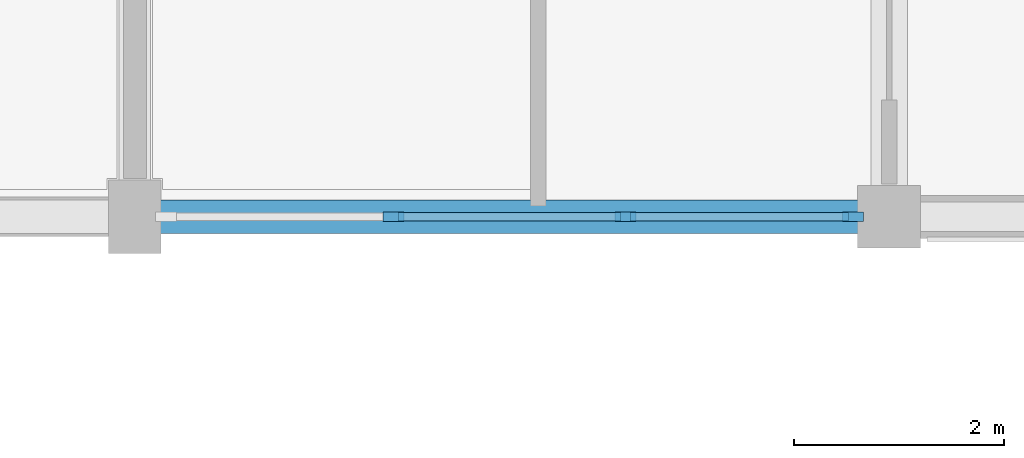
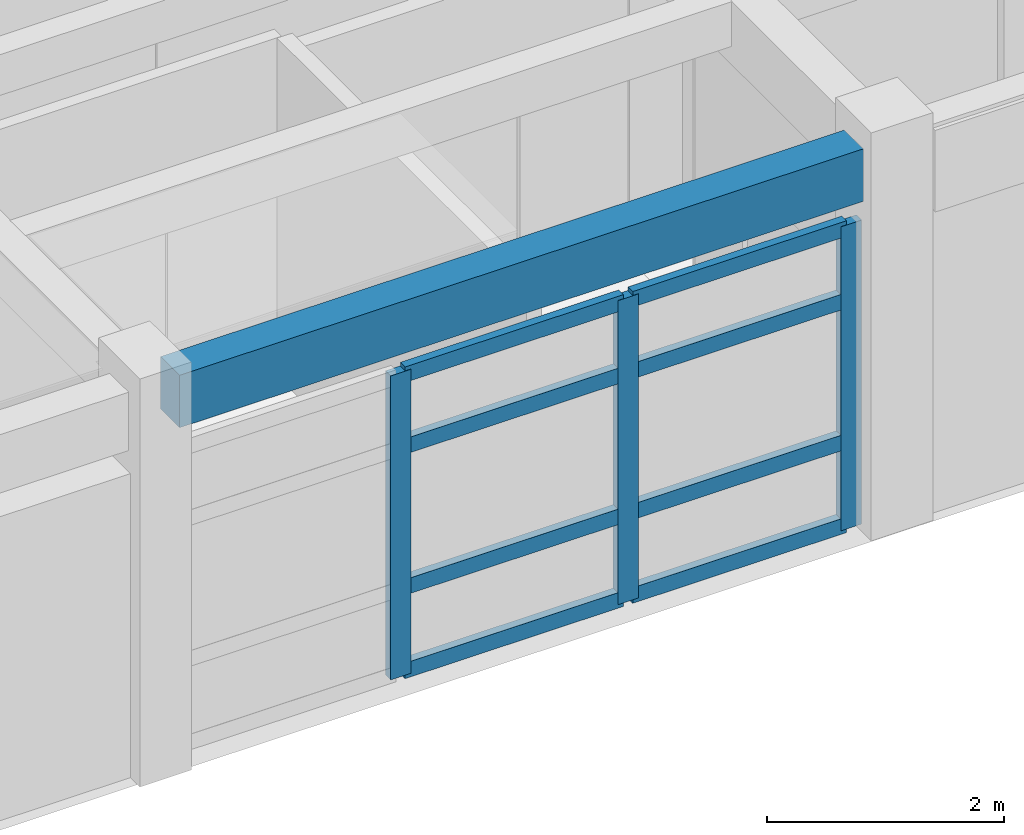
# One storey, part 14 of 100: 11 members, 1 beam, 1 element without a shape of its own.
"""IFC4 building model written with IfcOpenShell, lengths in metres."""

import ifcopenshell
import ifcopenshell.guid

model = None  # the IFC model being written
_history = None  # IfcOwnerHistory: only IFC2X3 demands one
_inside = {}  # id of a spatial element -> (the spatial element, [elements in it])
_under = {}  # id of a project, library or spatial element -> (it, [spatial elements below it])
_declared = {}  # id of a project -> (the project, [libraries it declares])
_typed = {}  # id of a type object -> (the type object, [elements of that type])
_made_of = {}  # id of a material, layer set ... -> (it, [elements and type objects made of it])


def new_model(schema):
    """Start an empty IFC model of exactly this schema.

    Asked for "IFC4X3", IfcOpenShell would pick the latest addendum, in which some entities
    have other attributes; the version numbers below select the first issue.
    IFC2X3 requires an IfcOwnerHistory on every rooted entity: one is made here for all.
    """
    global model, _history
    if schema == "IFC4X3":
        model = ifcopenshell.file(schema_version=(4, 3, 0, 0))
    else:
        model = ifcopenshell.file(schema=schema)
    _inside.clear()
    _under.clear()
    _declared.clear()
    _typed.clear()
    _made_of.clear()
    _history = None
    if model.schema == "IFC2X3":
        org = make("IfcOrganization", Name="unknown")
        user = make(
            "IfcPersonAndOrganization",
            ThePerson=make("IfcPerson", FamilyName="unknown"),
            TheOrganization=org,
        )
        app = make(
            "IfcApplication",
            ApplicationDeveloper=org,
            Version="unknown",
            ApplicationFullName="unknown",
            ApplicationIdentifier="unknown",
        )
        _history = make(
            "IfcOwnerHistory",
            OwningUser=user,
            OwningApplication=app,
            ChangeAction="ADDED",
            CreationDate=0,
        )
    return model


def make(cls, **values):
    """One entity of the class cls with the attributes given. An attribute that is None is left unset."""
    return model.create_entity(
        cls, **{name: value for name, value in values.items() if value is not None}
    )


def rooted(cls, **values):
    """An entity with a GlobalId (a new one), such as an element, a storey or a relation."""
    return make(cls, GlobalId=ifcopenshell.guid.new(), OwnerHistory=_history, **values)


def si_unit(unit_type, name, prefix=None):
    """IfcSIUnit, for example si_unit("LENGTHUNIT", "METRE", prefix="MILLI")."""
    return make("IfcSIUnit", UnitType=unit_type, Prefix=prefix, Name=name)


def assignment(units):
    """IfcUnitAssignment: the units of a project."""
    return None if units is None else make("IfcUnitAssignment", Units=units)


def point(xyz):
    """IfcCartesianPoint."""
    return None if xyz is None else make("IfcCartesianPoint", Coordinates=xyz)


def direction(xyz):
    """IfcDirection."""
    return None if xyz is None else make("IfcDirection", DirectionRatios=xyz)


def frame(location, z_axis=None, x_axis=None):
    """IfcAxis2Placement3D, a coordinate frame: its origin and axes. An axis left out is left unset."""
    return make(
        "IfcAxis2Placement3D",
        Location=point(location),
        Axis=direction(z_axis),
        RefDirection=direction(x_axis),
    )


def frame_2d(location, x_axis=None):
    """IfcAxis2Placement2D, a coordinate frame in the plane: its origin and x axis."""
    return make(
        "IfcAxis2Placement2D", Location=point(location), RefDirection=direction(x_axis)
    )


def origin():
    """The frame at (0, 0, 0) with its axes left unset."""
    return frame((0.0, 0.0, 0.0))


def origin_2d():
    """The frame at (0, 0) in the plane with its x axis left unset."""
    return frame_2d((0.0, 0.0))


def place(relative_to, where):
    """IfcLocalPlacement: puts the frame where relative to a parent placement (None: the world)."""
    return make(
        "IfcLocalPlacement", PlacementRelTo=relative_to, RelativePlacement=where
    )


def context(
    kind, dimensions, precision=None, world=None, true_north=None, identifier=None
):
    """IfcGeometricRepresentationContext, for example the 3D "Model" context."""
    return make(
        "IfcGeometricRepresentationContext",
        ContextIdentifier=identifier,
        ContextType=kind,
        CoordinateSpaceDimension=dimensions,
        Precision=precision,
        WorldCoordinateSystem=world,
        TrueNorth=true_north,
    )


def subcontext(parent, identifier, kind, view, scale=None):
    """IfcGeometricRepresentationSubContext, for example "Body" below "Model"."""
    return make(
        "IfcGeometricRepresentationSubContext",
        ContextIdentifier=identifier,
        ContextType=kind,
        ParentContext=parent,
        TargetScale=scale,
        TargetView=view,
    )


def project(units=None, contexts=None):
    """IfcProject with its units and contexts."""
    return rooted(
        "IfcProject",
        Name="project",
        RepresentationContexts=contexts,
        UnitsInContext=assignment(units),
    )


def spatial(cls, under=None, at=None, **own):
    """A site, building, storey or space (cls), placed at a placement, below another one or the project."""
    s = rooted(cls, ObjectPlacement=at, **own)
    if under is not None:
        _under.setdefault(under.id(), (under, []))[1].append(s)
    return s


def profile(cls, at=None, kind="AREA", **sizes):
    """A parametric profile (cls). Its sizes go by their IFC names, for example OverallWidth=200.0."""
    return make(cls, ProfileType=kind, Position=at, **sizes)


def rectangle(**sizes):
    """IfcRectangleProfileDef."""
    return profile("IfcRectangleProfileDef", **sizes)


def extrude(swept, where, along, depth):
    """IfcExtrudedAreaSolid: the profile swept, set in the frame where, extruded along a direction by depth."""
    return make(
        "IfcExtrudedAreaSolid",
        SweptArea=swept,
        Position=where,
        ExtrudedDirection=direction(along),
        Depth=depth,
    )


def shape(context_of_items, identifier, shape_type, items):
    """IfcShapeRepresentation: the items that make up one representation, for example the "Body"."""
    return make(
        "IfcShapeRepresentation",
        ContextOfItems=context_of_items,
        RepresentationIdentifier=identifier,
        RepresentationType=shape_type,
        Items=items,
    )


def material(Name=None, Category=None):
    """IfcMaterial."""
    return make("IfcMaterial", Name=Name, Category=Category)


def material_profile(
    of_material, cross_section, Name=None, Category=None, Priority=None
):
    """IfcMaterialProfile: a cross section and its material."""
    return make(
        "IfcMaterialProfile",
        Name=Name,
        Material=of_material,
        Profile=cross_section,
        Priority=Priority,
        Category=Category,
    )


def profile_set(profiles, Name=None, composite=None):
    """IfcMaterialProfileSet."""
    return make(
        "IfcMaterialProfileSet",
        Name=Name,
        MaterialProfiles=profiles,
        CompositeProfile=composite,
    )


def made_of(thing, what):
    """Note that an element or type object is made of a material, layer set ...; save() writes the relation."""
    if what is not None:
        _made_of.setdefault(what.id(), (what, []))[1].append(thing)
    return thing


def type_object(cls, material=None, **own):
    """A type object (cls), such as IfcWallType, which elements share."""
    return made_of(rooted(cls, **own), material)


def element(
    cls,
    number,
    at=None,
    inside=None,
    cuts=None,
    type_object=None,
    material=None,
    context=None,
    identifier="Body",
    shape_type=None,
    held_by="IfcProductDefinitionShape",
    body=None,
    shapes=None,
    **own,
):
    """One element of the class cls, such as IfcWall. Its Tag is "e" and its number.

    at: its placement. inside: the storey or other place that contains it. cuts: it is an
    opening in that element (IfcRelVoidsElement). A single representation is given by context,
    identifier, shape_type and body (its items); several are given by shapes. held_by: the class
    of the entity that holds the representations. save() writes the other relations.
    """
    e = rooted(cls, Tag="e%d" % number, ObjectPlacement=at, **own)
    if body is not None:
        shapes = [shape(context, identifier, shape_type, body)]
    if shapes is not None:
        e.Representation = make(held_by, Representations=shapes)
    if inside is not None:
        _inside.setdefault(inside.id(), (inside, []))[1].append(e)
    if cuts is not None:
        rooted(
            "IfcRelVoidsElement", RelatingBuildingElement=cuts, RelatedOpeningElement=e
        )
    if type_object is not None:
        _typed.setdefault(type_object.id(), (type_object, []))[1].append(e)
    return made_of(e, material)


def aggregate(whole, parts):
    """IfcRelAggregates: a whole, such as a stair, and the parts it consists of."""
    return rooted("IfcRelAggregates", RelatingObject=whole, RelatedObjects=parts)


def save(model, path):
    """Write the relations noted so far, then the file.

    IfcRelAggregates (storeys below a building ...), IfcRelContainedInSpatialStructure (elements
    in a storey), IfcRelDefinesByType, IfcRelAssociatesMaterial and IfcRelDeclares: one each for
    every whole, place, type object, material and project.
    """
    for whole, parts in _under.values():
        aggregate(whole, parts)
    for where, things in _inside.values():
        rooted(
            "IfcRelContainedInSpatialStructure",
            RelatedElements=things,
            RelatingStructure=where,
        )
    for kind, things in _typed.values():
        rooted("IfcRelDefinesByType", RelatedObjects=things, RelatingType=kind)
    for what, things in _made_of.values():
        rooted("IfcRelAssociatesMaterial", RelatedObjects=things, RelatingMaterial=what)
    for by, libraries in _declared.values():
        rooted("IfcRelDeclares", RelatingContext=by, RelatedDefinitions=libraries)
    model.write(path)


model = new_model("IFC4")

# Units and contexts
model_context = context("Model", 3, precision=1e-05, world=origin(), true_north=direction((0.0, 1.0)))
body_context = subcontext(model_context, "Body", "Model", "MODEL_VIEW")
ifc_project = project(units=[si_unit("LENGTHUNIT", "METRE"), si_unit("AREAUNIT", "SQUARE_METRE"), si_unit("VOLUMEUNIT", "CUBIC_METRE"), si_unit("PLANEANGLEUNIT", "RADIAN"), si_unit("MASSUNIT", "GRAM", prefix="KILO")], contexts=[model_context])

# Site, building, storey
site_placement = place(None, origin())
site = spatial("IfcSite", under=ifc_project, at=site_placement, CompositionType="ELEMENT")
building_placement = place(site_placement, origin())
building = spatial("IfcBuilding", under=site, at=building_placement, Name="Steenspoor Specialist Clinic", CompositionType="ELEMENT")
storey_placement = place(building_placement, frame((0.0, 0.0, 9.0)))
storey = spatial("IfcBuildingStorey", under=building, at=storey_placement, Name="L02", CompositionType="ELEMENT", Elevation=9.0)

# Curtain wall, members
ifc_material_1 = material(Name="Thermally broken aluminium and low-emissivity glass", Category="aluminium")
curtain_wall_type = type_object("IfcCurtainWallType", Name="CW-SCR-660X320", PredefinedType="USERDEFINED", material=ifc_material_1)
curtain_wall_placement = place(storey_placement, origin())
curtain_wall = element("IfcCurtainWall", 1, at=curtain_wall_placement, inside=storey, type_object=curtain_wall_type, Name="Unitised Curtain Wall CW-V6-L02-185", ObjectType="UNITISED GLAZING", PredefinedType="USERDEFINED")
ifc_material_2 = material(Name="Thermally broken aluminium 6063-T6", Category="aluminium")
ifc_material_profile_1 = material_profile(ifc_material_2, rectangle(XDim=0.090087890625, YDim=0.199951171875, at=origin_2d()), Name="CWM-90X200")
ifc_profile_set_1 = profile_set([ifc_material_profile_1], Name="Thermally broken aluminium 6063-T6")
member_type_1 = type_object("IfcMemberType", Name="CW-MULL-90X200", PredefinedType="MULLION", material=ifc_profile_set_1)
member_1_placement = place(storey_placement, frame((139.2548828125, 65.14990234375, 0.0), z_axis=(0.0, 0.0, 1.0), x_axis=(0.0, -1.0, 0.0)))
member_1 = element("IfcMember", 2, at=member_1_placement, type_object=member_type_1, Name="CW-17 mullion 1", PredefinedType="MULLION", context=body_context, shape_type="SweptSolid", body=[
    extrude(rectangle(XDim=0.090087890625, YDim=0.199951171875, at=origin_2d()), origin(), (0.0, 0.0, 1.0), 3.1298828125),
])
member_2_placement = place(storey_placement, frame((137.083251953125, 65.14990234375, 0.0), z_axis=(0.0, 0.0, 1.0), x_axis=(0.0, -1.0, 0.0)))
member_2 = element("IfcMember", 3, at=member_2_placement, type_object=member_type_1, Name="CW-17 mullion 2", PredefinedType="MULLION", context=body_context, shape_type="SweptSolid", body=[
    extrude(rectangle(XDim=0.090087890625, YDim=0.199951171875, at=origin_2d()), origin(), (0.0, 0.0, 1.0), 3.1298828125),
])
member_3_placement = place(storey_placement, frame((134.86669921875, 65.14990234375, 0.0), z_axis=(0.0, 0.0, 1.0), x_axis=(0.0, -1.0, 0.0)))
member_3 = element("IfcMember", 4, at=member_3_placement, type_object=member_type_1, Name="CW-17 mullion 3", PredefinedType="MULLION", context=body_context, shape_type="SweptSolid", body=[
    extrude(rectangle(XDim=0.090087890625, YDim=0.199951171875, at=origin_2d()), origin(), (0.0, 0.0, 1.0), 3.1298828125),
])
ifc_material_profile_2 = material_profile(ifc_material_2, rectangle(XDim=0.080078125, YDim=0.159912109375, at=origin_2d()), Name="CWT-80X160")
ifc_profile_set_2 = profile_set([ifc_material_profile_2], Name="Thermally broken aluminium 6063-T6")
member_type_2 = type_object("IfcMemberType", Name="CW-TRAN-80X160", PredefinedType="USERDEFINED", material=ifc_profile_set_2)
member_4_placement = place(storey_placement, frame((139.2099609375, 65.14990234375, 0.0400390625), z_axis=(-1.0, 0.0, 0.0), x_axis=(0.0, -1.0, 0.0)))
member_4 = element("IfcMember", 5, at=member_4_placement, type_object=member_type_2, Name="CW-17 transom 1.1", ObjectType="TRANSOM", PredefinedType="USERDEFINED", context=body_context, shape_type="SweptSolid", body=[
    extrude(rectangle(XDim=0.080078125, YDim=0.159912109375, at=origin_2d()), origin(), (0.0, 0.0, 1.0), 2.08154296875),
])
member_5_placement = place(storey_placement, frame((139.2099609375, 65.14990234375, 0.89990234375), z_axis=(-1.0, 0.0, 0.0), x_axis=(0.0, -1.0, 0.0)))
member_5 = element("IfcMember", 6, at=member_5_placement, type_object=member_type_2, Name="CW-17 transom 1.2", ObjectType="TRANSOM", PredefinedType="USERDEFINED", context=body_context, shape_type="SweptSolid", body=[
    extrude(rectangle(XDim=0.080078125, YDim=0.159912109375, at=origin_2d()), origin(), (0.0, 0.0, 1.0), 2.08154296875),
])
member_6_placement = place(storey_placement, frame((139.2099609375, 65.14990234375, 2.35009765625), z_axis=(-1.0, 0.0, 0.0), x_axis=(0.0, -1.0, 0.0)))
member_6 = element("IfcMember", 7, at=member_6_placement, type_object=member_type_2, Name="CW-17 transom 1.3", ObjectType="TRANSOM", PredefinedType="USERDEFINED", context=body_context, shape_type="SweptSolid", body=[
    extrude(rectangle(XDim=0.080078125, YDim=0.159912109375, at=origin_2d()), origin(), (0.0, 0.0, 1.0), 2.08154296875),
])
member_7_placement = place(storey_placement, frame((139.2099609375, 65.14990234375, 3.090087890625), z_axis=(-1.0, 0.0, 0.0), x_axis=(0.0, -1.0, 0.0)))
member_7 = element("IfcMember", 8, at=member_7_placement, type_object=member_type_2, Name="CW-17 transom 1.4", ObjectType="TRANSOM", PredefinedType="USERDEFINED", context=body_context, shape_type="SweptSolid", body=[
    extrude(rectangle(XDim=0.080078125, YDim=0.159912109375, at=origin_2d()), origin(), (0.0, 0.0, 1.0), 2.08154296875),
])
member_8_placement = place(storey_placement, frame((137.038330078125, 65.14990234375, 0.0400390625), z_axis=(-1.0, 0.0, 0.0), x_axis=(0.0, -1.0, 0.0)))
member_8 = element("IfcMember", 9, at=member_8_placement, type_object=member_type_2, Name="CW-17 transom 2.1", ObjectType="TRANSOM", PredefinedType="USERDEFINED", context=body_context, shape_type="SweptSolid", body=[
    extrude(rectangle(XDim=0.080078125, YDim=0.159912109375, at=origin_2d()), origin(), (0.0, 0.0, 1.0), 2.126708984375),
])
member_9_placement = place(storey_placement, frame((137.038330078125, 65.14990234375, 0.89990234375), z_axis=(-1.0, 0.0, 0.0), x_axis=(0.0, -1.0, 0.0)))
member_9 = element("IfcMember", 10, at=member_9_placement, type_object=member_type_2, Name="CW-17 transom 2.2", ObjectType="TRANSOM", PredefinedType="USERDEFINED", context=body_context, shape_type="SweptSolid", body=[
    extrude(rectangle(XDim=0.080078125, YDim=0.159912109375, at=origin_2d()), origin(), (0.0, 0.0, 1.0), 2.126708984375),
])
member_10_placement = place(storey_placement, frame((137.038330078125, 65.14990234375, 2.35009765625), z_axis=(-1.0, 0.0, 0.0), x_axis=(0.0, -1.0, 0.0)))
member_10 = element("IfcMember", 11, at=member_10_placement, type_object=member_type_2, Name="CW-17 transom 2.3", ObjectType="TRANSOM", PredefinedType="USERDEFINED", context=body_context, shape_type="SweptSolid", body=[
    extrude(rectangle(XDim=0.080078125, YDim=0.159912109375, at=origin_2d()), origin(), (0.0, 0.0, 1.0), 2.126708984375),
])
member_11_placement = place(storey_placement, frame((137.038330078125, 65.14990234375, 3.090087890625), z_axis=(-1.0, 0.0, 0.0), x_axis=(0.0, -1.0, 0.0)))
member_11 = element("IfcMember", 12, at=member_11_placement, type_object=member_type_2, Name="CW-17 transom 2.4", ObjectType="TRANSOM", PredefinedType="USERDEFINED", context=body_context, shape_type="SweptSolid", body=[
    extrude(rectangle(XDim=0.080078125, YDim=0.159912109375, at=origin_2d()), origin(), (0.0, 0.0, 1.0), 2.126708984375),
])
aggregate(curtain_wall, [member_1, member_2, member_3, member_4, member_5, member_6, member_7, member_8, member_9, member_10, member_11])

# Beam
ifc_material_3 = material(Name="Concrete C35/45", Category="concrete")
ifc_material_profile_3 = material_profile(ifc_material_3, rectangle(XDim=0.320068359375, YDim=0.5400390625, at=origin_2d()), Name="RC-SP-320X540")
ifc_profile_set_3 = profile_set([ifc_material_profile_3], Name="Concrete C35/45")
beam_type = type_object("IfcBeamType", Name="SP-RC-320X540", PredefinedType="SPANDREL", material=ifc_profile_set_3)
beam_placement = place(storey_placement, frame((132.64501953125, 65.14990234375, 3.679931640625), z_axis=(1.0, 0.0, 0.0), x_axis=(0.0, 1.0, 0.0)))
element("IfcBeam", 13, at=beam_placement, inside=storey, type_object=beam_type, Name="BM-V6-L02-X1603", PredefinedType="SPANDREL", context=body_context, shape_type="SweptSolid", body=[
    extrude(rectangle(XDim=0.320068359375, YDim=0.5400390625, at=origin_2d()), origin(), (0.0, 0.0, 1.0), 6.659912109375),
])

save(model, "model.ifc")
